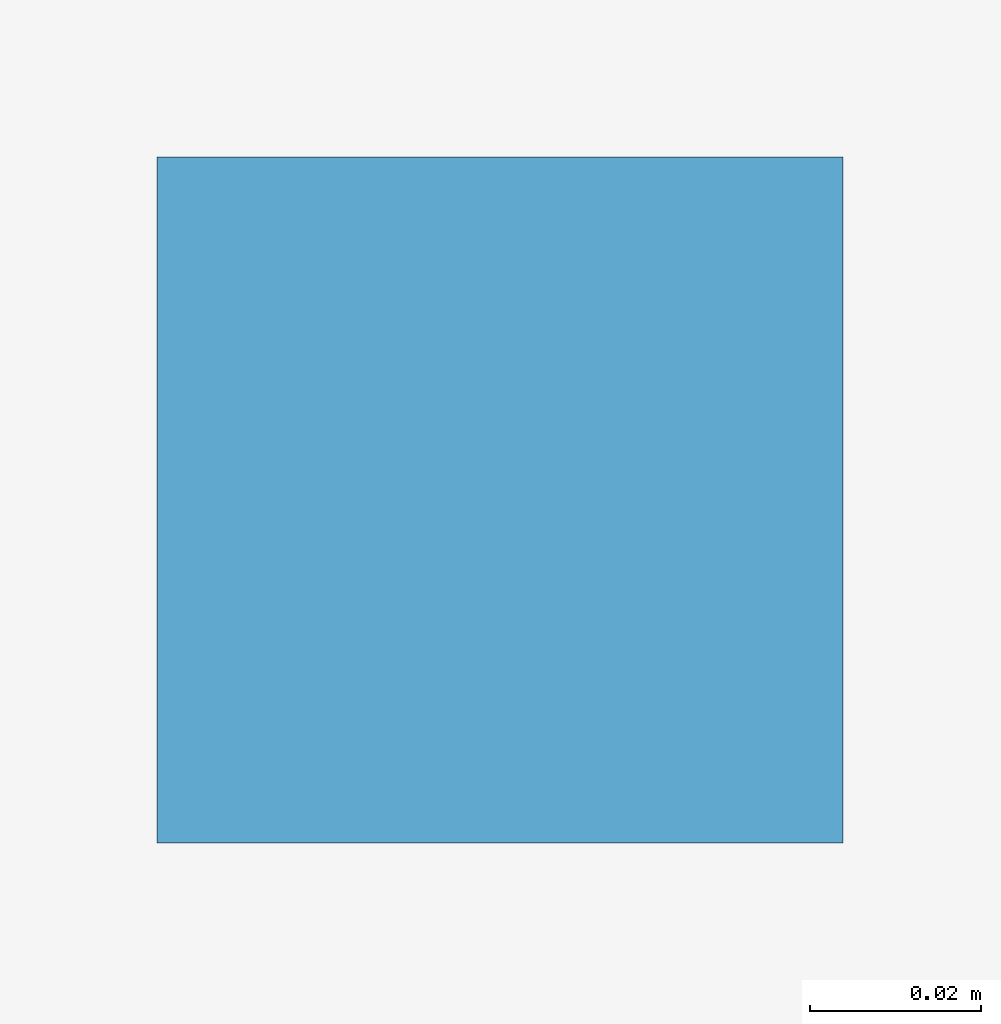
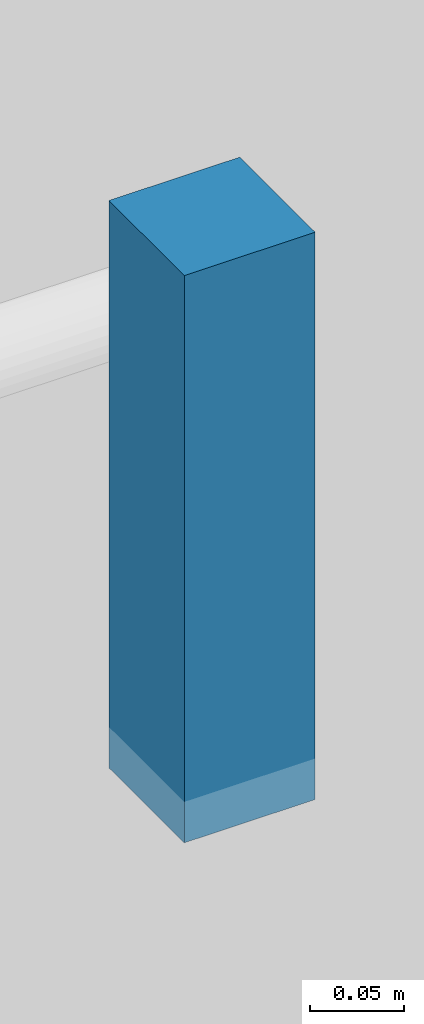
# One storey, part 144 of 157: 1 discrete accessory.
"""IFC4 building model written with IfcOpenShell, lengths in metres."""

from ifc_helpers import new_model, si_unit, direction, frame, origin, origin_2d, place, context, subcontext, project, spatial, rectangle, extrude, material, type_object, element, save


model = new_model("IFC4")

# Units and contexts
model_context = context("Model", 3, precision=1e-05, world=origin(), true_north=direction((0.0, 1.0)))
body_context = subcontext(model_context, "Body", "Model", "MODEL_VIEW")
ifc_project = project(units=[si_unit("LENGTHUNIT", "METRE"), si_unit("AREAUNIT", "SQUARE_METRE"), si_unit("VOLUMEUNIT", "CUBIC_METRE"), si_unit("PLANEANGLEUNIT", "RADIAN"), si_unit("MASSUNIT", "GRAM", prefix="KILO")], contexts=[model_context])

# Site, building, storey
site_placement = place(None, origin())
site = spatial("IfcSite", under=ifc_project, at=site_placement, CompositionType="ELEMENT")
building_placement = place(site_placement, origin())
building = spatial("IfcBuilding", under=site, at=building_placement, Name="Chalmorin Arch Market", CompositionType="ELEMENT")
storey_placement = place(building_placement, frame((0.0, 0.0, 4.800048828125)))
storey = spatial("IfcBuildingStorey", under=building, at=storey_placement, Name="L01", CompositionType="ELEMENT", Elevation=4.800048828125)

# Discrete accessory
ifc_material = material(Name="Galvanized Cold-Formed Steel", Category="steel")
discrete_accessory_type = type_object("IfcDiscreteAccessoryType", Name="CeilingSuspensionBracket-80x80", PredefinedType="BRACKET", material=ifc_material)
discrete_accessory_placement = place(storey_placement, frame((93.300048828125, 10.449951171875, 4.2529296875), z_axis=(0.0, 0.0, 1.0), x_axis=(1.0, 0.0, 0.0)))
element("IfcDiscreteAccessory", 1, at=discrete_accessory_placement, inside=storey, type_object=discrete_accessory_type, Name="CSB-143", PredefinedType="BRACKET", context=body_context, shape_type="SweptSolid", body=[
    extrude(rectangle(XDim=0.080078125, YDim=0.080078125, at=origin_2d()), origin(), (0.0, 0.0, 1.0), 0.366943359375),
])

save(model, "model.ifc")
